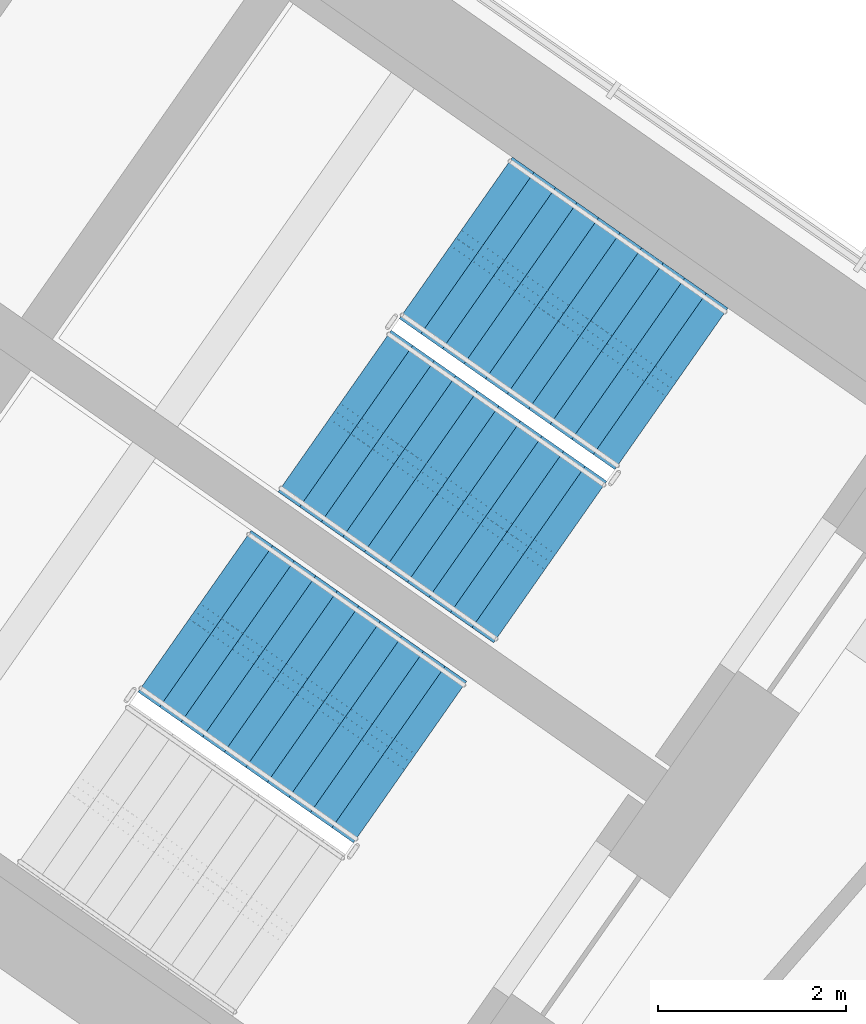
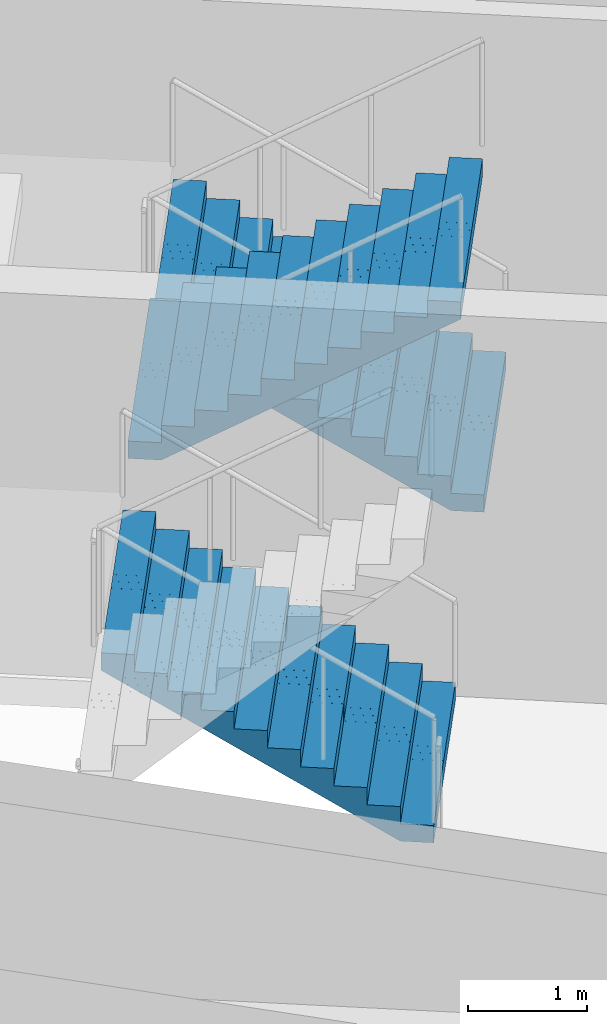
# One storey, part 18 of 23: 3 stair flights, 2 elements without a shape of their own.
"""IFC4 building model written with IfcOpenShell, lengths in metres."""

import ifcopenshell
import ifcopenshell.guid

model = None  # the IFC model being written
_history = None  # IfcOwnerHistory: only IFC2X3 demands one
_inside = {}  # id of a spatial element -> (the spatial element, [elements in it])
_under = {}  # id of a project, library or spatial element -> (it, [spatial elements below it])
_declared = {}  # id of a project -> (the project, [libraries it declares])
_typed = {}  # id of a type object -> (the type object, [elements of that type])
_made_of = {}  # id of a material, layer set ... -> (it, [elements and type objects made of it])


def new_model(schema):
    """Start an empty IFC model of exactly this schema.

    Asked for "IFC4X3", IfcOpenShell would pick the latest addendum, in which some entities
    have other attributes; the version numbers below select the first issue.
    IFC2X3 requires an IfcOwnerHistory on every rooted entity: one is made here for all.
    """
    global model, _history
    if schema == "IFC4X3":
        model = ifcopenshell.file(schema_version=(4, 3, 0, 0))
    else:
        model = ifcopenshell.file(schema=schema)
    _inside.clear()
    _under.clear()
    _declared.clear()
    _typed.clear()
    _made_of.clear()
    _history = None
    if model.schema == "IFC2X3":
        org = make("IfcOrganization", Name="unknown")
        user = make(
            "IfcPersonAndOrganization",
            ThePerson=make("IfcPerson", FamilyName="unknown"),
            TheOrganization=org,
        )
        app = make(
            "IfcApplication",
            ApplicationDeveloper=org,
            Version="unknown",
            ApplicationFullName="unknown",
            ApplicationIdentifier="unknown",
        )
        _history = make(
            "IfcOwnerHistory",
            OwningUser=user,
            OwningApplication=app,
            ChangeAction="ADDED",
            CreationDate=0,
        )
    return model


def make(cls, **values):
    """One entity of the class cls with the attributes given. An attribute that is None is left unset."""
    return model.create_entity(
        cls, **{name: value for name, value in values.items() if value is not None}
    )


def rooted(cls, **values):
    """An entity with a GlobalId (a new one), such as an element, a storey or a relation."""
    return make(cls, GlobalId=ifcopenshell.guid.new(), OwnerHistory=_history, **values)


def si_unit(unit_type, name, prefix=None):
    """IfcSIUnit, for example si_unit("LENGTHUNIT", "METRE", prefix="MILLI")."""
    return make("IfcSIUnit", UnitType=unit_type, Prefix=prefix, Name=name)


def assignment(units):
    """IfcUnitAssignment: the units of a project."""
    return None if units is None else make("IfcUnitAssignment", Units=units)


def point(xyz):
    """IfcCartesianPoint."""
    return None if xyz is None else make("IfcCartesianPoint", Coordinates=xyz)


def direction(xyz):
    """IfcDirection."""
    return None if xyz is None else make("IfcDirection", DirectionRatios=xyz)


def frame(location, z_axis=None, x_axis=None):
    """IfcAxis2Placement3D, a coordinate frame: its origin and axes. An axis left out is left unset."""
    return make(
        "IfcAxis2Placement3D",
        Location=point(location),
        Axis=direction(z_axis),
        RefDirection=direction(x_axis),
    )


def origin():
    """The frame at (0, 0, 0) with its axes left unset."""
    return frame((0.0, 0.0, 0.0))


def place(relative_to, where):
    """IfcLocalPlacement: puts the frame where relative to a parent placement (None: the world)."""
    return make(
        "IfcLocalPlacement", PlacementRelTo=relative_to, RelativePlacement=where
    )


def context(
    kind, dimensions, precision=None, world=None, true_north=None, identifier=None
):
    """IfcGeometricRepresentationContext, for example the 3D "Model" context."""
    return make(
        "IfcGeometricRepresentationContext",
        ContextIdentifier=identifier,
        ContextType=kind,
        CoordinateSpaceDimension=dimensions,
        Precision=precision,
        WorldCoordinateSystem=world,
        TrueNorth=true_north,
    )


def subcontext(parent, identifier, kind, view, scale=None):
    """IfcGeometricRepresentationSubContext, for example "Body" below "Model"."""
    return make(
        "IfcGeometricRepresentationSubContext",
        ContextIdentifier=identifier,
        ContextType=kind,
        ParentContext=parent,
        TargetScale=scale,
        TargetView=view,
    )


def project(units=None, contexts=None):
    """IfcProject with its units and contexts."""
    return rooted(
        "IfcProject",
        Name="project",
        RepresentationContexts=contexts,
        UnitsInContext=assignment(units),
    )


def spatial(cls, under=None, at=None, **own):
    """A site, building, storey or space (cls), placed at a placement, below another one or the project."""
    s = rooted(cls, ObjectPlacement=at, **own)
    if under is not None:
        _under.setdefault(under.id(), (under, []))[1].append(s)
    return s


def polyline(points):
    """IfcPolyline through the points."""
    return make("IfcPolyline", Points=[point(p) for p in points])


def outline(outer, holes=None, kind="AREA"):
    """IfcArbitraryClosedProfileDef: a profile drawn as a closed curve; with holes, ...WithVoids."""
    if holes is None:
        return make("IfcArbitraryClosedProfileDef", ProfileType=kind, OuterCurve=outer)
    return make(
        "IfcArbitraryProfileDefWithVoids",
        ProfileType=kind,
        OuterCurve=outer,
        InnerCurves=holes,
    )


def extrude(swept, where, along, depth):
    """IfcExtrudedAreaSolid: the profile swept, set in the frame where, extruded along a direction by depth."""
    return make(
        "IfcExtrudedAreaSolid",
        SweptArea=swept,
        Position=where,
        ExtrudedDirection=direction(along),
        Depth=depth,
    )


def shape(context_of_items, identifier, shape_type, items):
    """IfcShapeRepresentation: the items that make up one representation, for example the "Body"."""
    return make(
        "IfcShapeRepresentation",
        ContextOfItems=context_of_items,
        RepresentationIdentifier=identifier,
        RepresentationType=shape_type,
        Items=items,
    )


def material(Name=None, Category=None):
    """IfcMaterial."""
    return make("IfcMaterial", Name=Name, Category=Category)


def made_of(thing, what):
    """Note that an element or type object is made of a material, layer set ...; save() writes the relation."""
    if what is not None:
        _made_of.setdefault(what.id(), (what, []))[1].append(thing)
    return thing


def type_object(cls, material=None, **own):
    """A type object (cls), such as IfcWallType, which elements share."""
    return made_of(rooted(cls, **own), material)


def element(
    cls,
    number,
    at=None,
    inside=None,
    cuts=None,
    type_object=None,
    material=None,
    context=None,
    identifier="Body",
    shape_type=None,
    held_by="IfcProductDefinitionShape",
    body=None,
    shapes=None,
    **own,
):
    """One element of the class cls, such as IfcWall. Its Tag is "e" and its number.

    at: its placement. inside: the storey or other place that contains it. cuts: it is an
    opening in that element (IfcRelVoidsElement). A single representation is given by context,
    identifier, shape_type and body (its items); several are given by shapes. held_by: the class
    of the entity that holds the representations. save() writes the other relations.
    """
    e = rooted(cls, Tag="e%d" % number, ObjectPlacement=at, **own)
    if body is not None:
        shapes = [shape(context, identifier, shape_type, body)]
    if shapes is not None:
        e.Representation = make(held_by, Representations=shapes)
    if inside is not None:
        _inside.setdefault(inside.id(), (inside, []))[1].append(e)
    if cuts is not None:
        rooted(
            "IfcRelVoidsElement", RelatingBuildingElement=cuts, RelatedOpeningElement=e
        )
    if type_object is not None:
        _typed.setdefault(type_object.id(), (type_object, []))[1].append(e)
    return made_of(e, material)


def aggregate(whole, parts):
    """IfcRelAggregates: a whole, such as a stair, and the parts it consists of."""
    return rooted("IfcRelAggregates", RelatingObject=whole, RelatedObjects=parts)


def save(model, path):
    """Write the relations noted so far, then the file.

    IfcRelAggregates (storeys below a building ...), IfcRelContainedInSpatialStructure (elements
    in a storey), IfcRelDefinesByType, IfcRelAssociatesMaterial and IfcRelDeclares: one each for
    every whole, place, type object, material and project.
    """
    for whole, parts in _under.values():
        aggregate(whole, parts)
    for where, things in _inside.values():
        rooted(
            "IfcRelContainedInSpatialStructure",
            RelatedElements=things,
            RelatingStructure=where,
        )
    for kind, things in _typed.values():
        rooted("IfcRelDefinesByType", RelatedObjects=things, RelatingType=kind)
    for what, things in _made_of.values():
        rooted("IfcRelAssociatesMaterial", RelatedObjects=things, RelatingMaterial=what)
    for by, libraries in _declared.values():
        rooted("IfcRelDeclares", RelatingContext=by, RelatedDefinitions=libraries)
    model.write(path)


model = new_model("IFC4")

# Units and contexts
model_context = context("Model", 3, precision=1e-05, world=origin(), true_north=direction((0.0, 1.0)))
body_context = subcontext(model_context, "Body", "Model", "MODEL_VIEW")
ifc_project = project(units=[si_unit("LENGTHUNIT", "METRE"), si_unit("AREAUNIT", "SQUARE_METRE"), si_unit("VOLUMEUNIT", "CUBIC_METRE"), si_unit("PLANEANGLEUNIT", "RADIAN"), si_unit("MASSUNIT", "GRAM", prefix="KILO")], contexts=[model_context])

# Site, building, storey
site_placement = place(None, origin())
site = spatial("IfcSite", under=ifc_project, at=site_placement, CompositionType="ELEMENT")
building_placement = place(site_placement, origin())
building = spatial("IfcBuilding", under=site, at=building_placement, Name="Tel Ilan Convention Tower", CompositionType="ELEMENT")
storey_placement = place(building_placement, frame((0.0, 0.0, 182.699951171875)))
storey = spatial("IfcBuildingStorey", under=building, at=storey_placement, Name="L42", CompositionType="ELEMENT", Elevation=182.699951171875)

# Stair, stair flights
ifc_material_1 = material(Name="Concrete C40/50", Category="concrete")
stair_type = type_object("IfcStairType", Name="Pressurised Exit Stair 22 risers 177 mm", PredefinedType="HALF_TURN_STAIR", material=ifc_material_1)
stair_1_placement = place(storey_placement, origin())
stair_1 = element("IfcStair", 1, at=stair_1_placement, inside=storey, type_object=stair_type, Name="L42 Pressurised Stair S3", PredefinedType="HALF_TURN_STAIR")
ifc_material_2 = material(Name="Precast Concrete C40/50", Category="concrete")
stair_flight_type = type_object("IfcStairFlightType", Name="Concrete Stair Flight 2100 mm 22 risers 177 mm", PredefinedType="STRAIGHT", material=ifc_material_2)
stair_flight_1_placement = place(storey_placement, frame((24.25244140625, -7.032470703125, 0.0), z_axis=(0.0, 0.0, 1.0), x_axis=(-0.819152044289, 0.573576436351, 0.0)))
stair_flight_1 = element("IfcStairFlight", 2, at=stair_flight_1_placement, type_object=stair_flight_type, Name="S3 flight 1", NumberOfRisers=11, NumberOfTreads=10, PredefinedType="STRAIGHT", RiserHeight=0.177272727, TreadLength=0.28, context=body_context, shape_type="SweptSolid", body=[
    extrude(outline(polyline([(0.0, 0.0), (0.0, 0.17724609375), (0.280029296875, 0.17724609375), (0.280029296875, 0.3544921875), (0.56005859375, 0.3544921875), (0.56005859375, 0.53173828125), (0.840087890625, 0.53173828125), (0.840087890625, 0.708984375), (1.1201171875, 0.708984375), (1.1201171875, 0.886474609375), (1.39990234375, 0.886474609375), (1.39990234375, 1.063720703125), (1.679931640625, 1.063720703125), (1.679931640625, 1.240966796875), (1.9599609375, 1.240966796875), (1.9599609375, 1.418212890625), (2.239990234375, 1.418212890625), (2.239990234375, 1.595458984375), (2.52001953125, 1.595458984375), (2.52001953125, 1.772705078125), (2.800048828125, 1.772705078125), (2.800048828125, 1.949951171875), (2.800048828125, 1.59521484375), (0.2802734375, 0.0), (0.0, 0.0)])), frame((0.0, -0.100341796875, 0.0), z_axis=(0.0, -1.0, 0.0), x_axis=(1.0, 0.0, 0.0)), (0.0, 0.0, 1.0), 0.94970703125),
    extrude(outline(polyline([(0.0, 0.0), (0.0, 0.17724609375), (0.280029296875, 0.17724609375), (0.280029296875, 0.3544921875), (0.56005859375, 0.3544921875), (0.56005859375, 0.53173828125), (0.840087890625, 0.53173828125), (0.840087890625, 0.708984375), (1.1201171875, 0.708984375), (1.1201171875, 0.886474609375), (1.39990234375, 0.886474609375), (1.39990234375, 1.063720703125), (1.679931640625, 1.063720703125), (1.679931640625, 1.240966796875), (1.9599609375, 1.240966796875), (1.9599609375, 1.418212890625), (2.239990234375, 1.418212890625), (2.239990234375, 1.595458984375), (2.52001953125, 1.595458984375), (2.52001953125, 1.772705078125), (2.800048828125, 1.772705078125), (2.800048828125, 1.949951171875), (2.800048828125, 1.59521484375), (0.2802734375, 0.0), (0.0, 0.0)])), frame((0.0, -0.000244140625, 0.0), z_axis=(0.0, -1.0, 0.0), x_axis=(1.0, 0.0, 0.0)), (0.0, 0.0, 1.0), 0.099609375),
    extrude(outline(polyline([(0.0, 0.0), (0.0, 0.17724609375), (0.280029296875, 0.17724609375), (0.280029296875, 0.3544921875), (0.56005859375, 0.3544921875), (0.56005859375, 0.53173828125), (0.840087890625, 0.53173828125), (0.840087890625, 0.708984375), (1.1201171875, 0.708984375), (1.1201171875, 0.886474609375), (1.39990234375, 0.886474609375), (1.39990234375, 1.063720703125), (1.679931640625, 1.063720703125), (1.679931640625, 1.240966796875), (1.9599609375, 1.240966796875), (1.9599609375, 1.418212890625), (2.239990234375, 1.418212890625), (2.239990234375, 1.595458984375), (2.52001953125, 1.595458984375), (2.52001953125, 1.772705078125), (2.800048828125, 1.772705078125), (2.800048828125, 1.949951171875), (2.800048828125, 1.59521484375), (0.2802734375, 0.0), (0.0, 0.0)])), frame((0.0, 0.099853515625, 0.0), z_axis=(0.0, -1.0, 0.0), x_axis=(1.0, 0.0, 0.0)), (0.0, 0.0, 1.0), 0.099609375),
    extrude(outline(polyline([(0.0, 0.0), (0.0, 0.17724609375), (0.280029296875, 0.17724609375), (0.280029296875, 0.3544921875), (0.56005859375, 0.3544921875), (0.56005859375, 0.53173828125), (0.840087890625, 0.53173828125), (0.840087890625, 0.708984375), (1.1201171875, 0.708984375), (1.1201171875, 0.886474609375), (1.39990234375, 0.886474609375), (1.39990234375, 1.063720703125), (1.679931640625, 1.063720703125), (1.679931640625, 1.240966796875), (1.9599609375, 1.240966796875), (1.9599609375, 1.418212890625), (2.239990234375, 1.418212890625), (2.239990234375, 1.595458984375), (2.52001953125, 1.595458984375), (2.52001953125, 1.772705078125), (2.800048828125, 1.772705078125), (2.800048828125, 1.949951171875), (2.800048828125, 1.59521484375), (0.2802734375, 0.0), (0.0, 0.0)])), frame((0.0, 1.050048828125, 0.0), z_axis=(0.0, -1.0, 0.0), x_axis=(1.0, 0.0, 0.0)), (0.0, 0.0, 1.0), 0.94970703125),
])
stair_flight_2_placement = place(storey_placement, frame((20.668212890625, -7.26953125, 1.949951171875), z_axis=(0.0, 0.0, 1.0), x_axis=(0.819152044289, -0.573576436351, 0.0)))
stair_flight_2 = element("IfcStairFlight", 3, at=stair_flight_2_placement, type_object=stair_flight_type, Name="S3 flight 2", NumberOfRisers=11, NumberOfTreads=10, PredefinedType="STRAIGHT", RiserHeight=0.177272727, TreadLength=0.28, context=body_context, shape_type="SweptSolid", body=[
    extrude(outline(polyline([(0.0, 0.0), (0.0, 0.17724609375), (0.280029296875, 0.17724609375), (0.280029296875, 0.3544921875), (0.56005859375, 0.3544921875), (0.56005859375, 0.53173828125), (0.840087890625, 0.53173828125), (0.840087890625, 0.708984375), (1.1201171875, 0.708984375), (1.1201171875, 0.886474609375), (1.39990234375, 0.886474609375), (1.39990234375, 1.063720703125), (1.679931640625, 1.063720703125), (1.679931640625, 1.240966796875), (1.9599609375, 1.240966796875), (1.9599609375, 1.418212890625), (2.239990234375, 1.418212890625), (2.239990234375, 1.595458984375), (2.52001953125, 1.595458984375), (2.52001953125, 1.772705078125), (2.800048828125, 1.772705078125), (2.800048828125, 1.949951171875), (2.800048828125, 1.59521484375), (0.2802734375, 0.0), (0.0, 0.0)])), frame((0.0, -0.100341796875, 0.0), z_axis=(0.0, -1.0, 0.0), x_axis=(1.0, 0.0, 0.0)), (0.0, 0.0, 1.0), 0.94970703125),
    extrude(outline(polyline([(0.0, 0.0), (0.0, 0.17724609375), (0.280029296875, 0.17724609375), (0.280029296875, 0.3544921875), (0.56005859375, 0.3544921875), (0.56005859375, 0.53173828125), (0.840087890625, 0.53173828125), (0.840087890625, 0.708984375), (1.1201171875, 0.708984375), (1.1201171875, 0.886474609375), (1.39990234375, 0.886474609375), (1.39990234375, 1.063720703125), (1.679931640625, 1.063720703125), (1.679931640625, 1.240966796875), (1.9599609375, 1.240966796875), (1.9599609375, 1.418212890625), (2.239990234375, 1.418212890625), (2.239990234375, 1.595458984375), (2.52001953125, 1.595458984375), (2.52001953125, 1.772705078125), (2.800048828125, 1.772705078125), (2.800048828125, 1.949951171875), (2.800048828125, 1.59521484375), (0.2802734375, 0.0), (0.0, 0.0)])), frame((0.0, -0.000244140625, 0.0), z_axis=(0.0, -1.0, 0.0), x_axis=(1.0, 0.0, 0.0)), (0.0, 0.0, 1.0), 0.099609375),
    extrude(outline(polyline([(0.0, 0.0), (0.0, 0.17724609375), (0.280029296875, 0.17724609375), (0.280029296875, 0.3544921875), (0.56005859375, 0.3544921875), (0.56005859375, 0.53173828125), (0.840087890625, 0.53173828125), (0.840087890625, 0.708984375), (1.1201171875, 0.708984375), (1.1201171875, 0.886474609375), (1.39990234375, 0.886474609375), (1.39990234375, 1.063720703125), (1.679931640625, 1.063720703125), (1.679931640625, 1.240966796875), (1.9599609375, 1.240966796875), (1.9599609375, 1.418212890625), (2.239990234375, 1.418212890625), (2.239990234375, 1.595458984375), (2.52001953125, 1.595458984375), (2.52001953125, 1.772705078125), (2.800048828125, 1.772705078125), (2.800048828125, 1.949951171875), (2.800048828125, 1.59521484375), (0.2802734375, 0.0), (0.0, 0.0)])), frame((0.0, 0.099853515625, 0.0), z_axis=(0.0, -1.0, 0.0), x_axis=(1.0, 0.0, 0.0)), (0.0, 0.0, 1.0), 0.099609375),
    extrude(outline(polyline([(0.0, 0.0), (0.0, 0.17724609375), (0.280029296875, 0.17724609375), (0.280029296875, 0.3544921875), (0.56005859375, 0.3544921875), (0.56005859375, 0.53173828125), (0.840087890625, 0.53173828125), (0.840087890625, 0.708984375), (1.1201171875, 0.708984375), (1.1201171875, 0.886474609375), (1.39990234375, 0.886474609375), (1.39990234375, 1.063720703125), (1.679931640625, 1.063720703125), (1.679931640625, 1.240966796875), (1.9599609375, 1.240966796875), (1.9599609375, 1.418212890625), (2.239990234375, 1.418212890625), (2.239990234375, 1.595458984375), (2.52001953125, 1.595458984375), (2.52001953125, 1.772705078125), (2.800048828125, 1.772705078125), (2.800048828125, 1.949951171875), (2.800048828125, 1.59521484375), (0.2802734375, 0.0), (0.0, 0.0)])), frame((0.0, 1.050048828125, 0.0), z_axis=(0.0, -1.0, 0.0), x_axis=(1.0, 0.0, 0.0)), (0.0, 0.0, 1.0), 0.94970703125),
])
aggregate(stair_1, [stair_flight_1, stair_flight_2])

# Stair, stair flight
stair_2_placement = place(storey_placement, origin())
stair_2 = element("IfcStair", 4, at=stair_2_placement, inside=storey, type_object=stair_type, Name="L42 Pressurised Stair S4", PredefinedType="HALF_TURN_STAIR")
stair_flight_3_placement = place(storey_placement, frame((21.470458984375, -11.00537109375, 0.0), z_axis=(0.0, 0.0, 1.0), x_axis=(-0.819152044289, 0.573576436351, 0.0)))
stair_flight_3 = element("IfcStairFlight", 5, at=stair_flight_3_placement, type_object=stair_flight_type, Name="S4 flight 1", NumberOfRisers=11, NumberOfTreads=10, PredefinedType="STRAIGHT", RiserHeight=0.177272727, TreadLength=0.28, context=body_context, shape_type="SweptSolid", body=[
    extrude(outline(polyline([(0.0, 0.0), (0.0, 0.17724609375), (0.280029296875, 0.17724609375), (0.280029296875, 0.3544921875), (0.56005859375, 0.3544921875), (0.56005859375, 0.53173828125), (0.840087890625, 0.53173828125), (0.840087890625, 0.708984375), (1.1201171875, 0.708984375), (1.1201171875, 0.886474609375), (1.39990234375, 0.886474609375), (1.39990234375, 1.063720703125), (1.679931640625, 1.063720703125), (1.679931640625, 1.240966796875), (1.9599609375, 1.240966796875), (1.9599609375, 1.418212890625), (2.239990234375, 1.418212890625), (2.239990234375, 1.595458984375), (2.52001953125, 1.595458984375), (2.52001953125, 1.772705078125), (2.800048828125, 1.772705078125), (2.800048828125, 1.949951171875), (2.800048828125, 1.59521484375), (0.2802734375, 0.0), (0.0, 0.0)])), frame((0.0, -0.100341796875, 0.0), z_axis=(0.0, -1.0, 0.0), x_axis=(1.0, 0.0, 0.0)), (0.0, 0.0, 1.0), 0.94970703125),
    extrude(outline(polyline([(0.0, 0.0), (0.0, 0.17724609375), (0.280029296875, 0.17724609375), (0.280029296875, 0.3544921875), (0.56005859375, 0.3544921875), (0.56005859375, 0.53173828125), (0.840087890625, 0.53173828125), (0.840087890625, 0.708984375), (1.1201171875, 0.708984375), (1.1201171875, 0.886474609375), (1.39990234375, 0.886474609375), (1.39990234375, 1.063720703125), (1.679931640625, 1.063720703125), (1.679931640625, 1.240966796875), (1.9599609375, 1.240966796875), (1.9599609375, 1.418212890625), (2.239990234375, 1.418212890625), (2.239990234375, 1.595458984375), (2.52001953125, 1.595458984375), (2.52001953125, 1.772705078125), (2.800048828125, 1.772705078125), (2.800048828125, 1.949951171875), (2.800048828125, 1.59521484375), (0.2802734375, 0.0), (0.0, 0.0)])), frame((0.0, -0.000244140625, 0.0), z_axis=(0.0, -1.0, 0.0), x_axis=(1.0, 0.0, 0.0)), (0.0, 0.0, 1.0), 0.099609375),
    extrude(outline(polyline([(0.0, 0.0), (0.0, 0.17724609375), (0.280029296875, 0.17724609375), (0.280029296875, 0.3544921875), (0.56005859375, 0.3544921875), (0.56005859375, 0.53173828125), (0.840087890625, 0.53173828125), (0.840087890625, 0.708984375), (1.1201171875, 0.708984375), (1.1201171875, 0.886474609375), (1.39990234375, 0.886474609375), (1.39990234375, 1.063720703125), (1.679931640625, 1.063720703125), (1.679931640625, 1.240966796875), (1.9599609375, 1.240966796875), (1.9599609375, 1.418212890625), (2.239990234375, 1.418212890625), (2.239990234375, 1.595458984375), (2.52001953125, 1.595458984375), (2.52001953125, 1.772705078125), (2.800048828125, 1.772705078125), (2.800048828125, 1.949951171875), (2.800048828125, 1.59521484375), (0.2802734375, 0.0), (0.0, 0.0)])), frame((0.0, 0.099853515625, 0.0), z_axis=(0.0, -1.0, 0.0), x_axis=(1.0, 0.0, 0.0)), (0.0, 0.0, 1.0), 0.099609375),
    extrude(outline(polyline([(0.0, 0.0), (0.0, 0.17724609375), (0.280029296875, 0.17724609375), (0.280029296875, 0.3544921875), (0.56005859375, 0.3544921875), (0.56005859375, 0.53173828125), (0.840087890625, 0.53173828125), (0.840087890625, 0.708984375), (1.1201171875, 0.708984375), (1.1201171875, 0.886474609375), (1.39990234375, 0.886474609375), (1.39990234375, 1.063720703125), (1.679931640625, 1.063720703125), (1.679931640625, 1.240966796875), (1.9599609375, 1.240966796875), (1.9599609375, 1.418212890625), (2.239990234375, 1.418212890625), (2.239990234375, 1.595458984375), (2.52001953125, 1.595458984375), (2.52001953125, 1.772705078125), (2.800048828125, 1.772705078125), (2.800048828125, 1.949951171875), (2.800048828125, 1.59521484375), (0.2802734375, 0.0), (0.0, 0.0)])), frame((0.0, 1.050048828125, 0.0), z_axis=(0.0, -1.0, 0.0), x_axis=(1.0, 0.0, 0.0)), (0.0, 0.0, 1.0), 0.94970703125),
])
aggregate(stair_2, [stair_flight_3])

save(model, "model.ifc")
